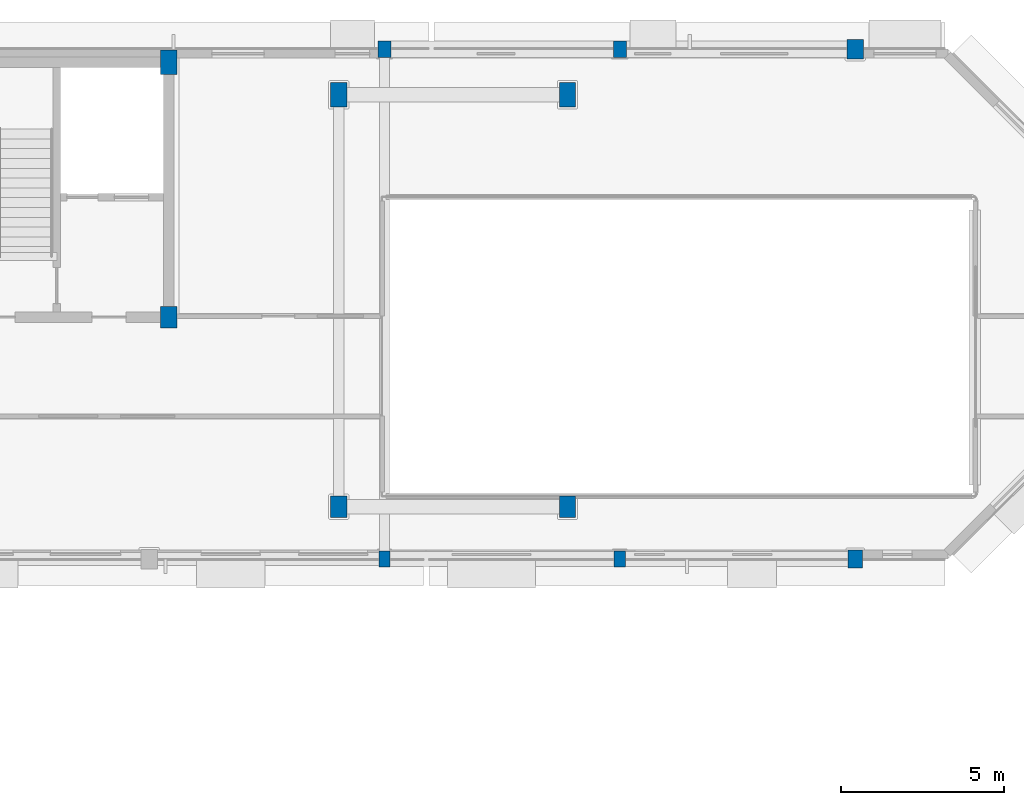
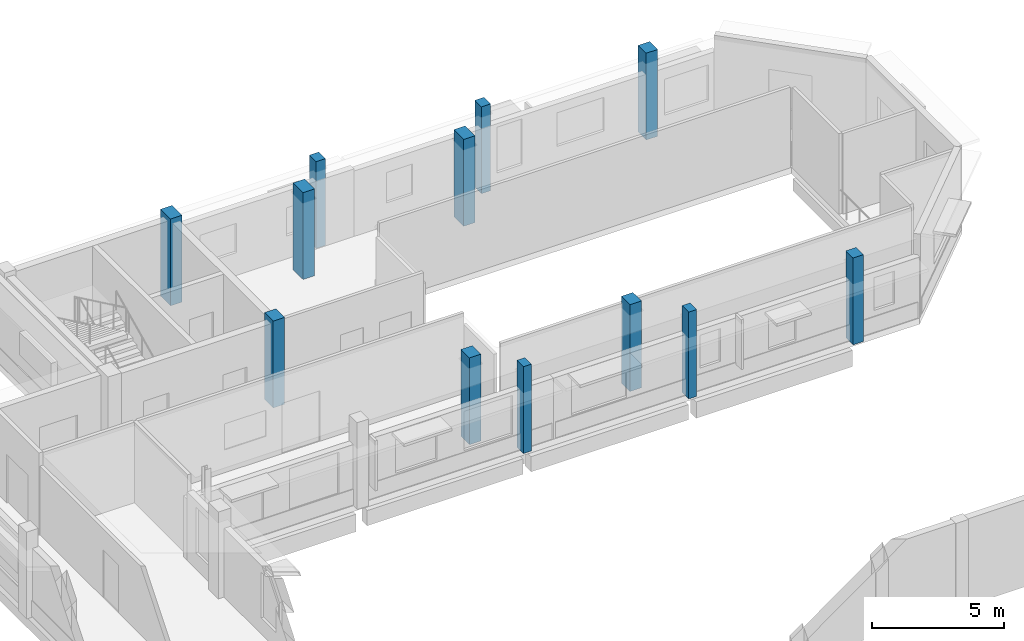
# One storey, part 14 of 89: 12 columns.
"""IFC4 building model written with IfcOpenShell, lengths in metres."""

from ifc_helpers import new_model, si_unit, direction, frame, origin, origin_2d, place, context, subcontext, project, spatial, rectangle, extrude, material, material_profile, profile_set, type_object, element, save


model = new_model("IFC4")

# Units and contexts
model_context = context("Model", 3, precision=1e-05, world=origin(), true_north=direction((0.0, 1.0)))
body_context = subcontext(model_context, "Body", "Model", "MODEL_VIEW")
ifc_project = project(units=[si_unit("LENGTHUNIT", "METRE"), si_unit("AREAUNIT", "SQUARE_METRE"), si_unit("VOLUMEUNIT", "CUBIC_METRE"), si_unit("PLANEANGLEUNIT", "RADIAN"), si_unit("MASSUNIT", "GRAM", prefix="KILO")], contexts=[model_context])

# Site, building, storey
site_placement = place(None, origin())
site = spatial("IfcSite", under=ifc_project, at=site_placement, CompositionType="ELEMENT")
building_placement = place(site_placement, origin())
building = spatial("IfcBuilding", under=site, at=building_placement, Name="Kelanivale Promenade Academy", CompositionType="ELEMENT")
storey_placement = place(building_placement, frame((0.0, 0.0, 12.199951171875)))
storey = spatial("IfcBuildingStorey", under=building, at=storey_placement, Name="L03", CompositionType="ELEMENT", Elevation=12.199951171875)

# Columns
ifc_material = material(Name="Concrete C40/50", Category="concrete")
ifc_material_profile_1 = material_profile(ifc_material, rectangle(XDim=0.5, YDim=0.64990234375, at=origin_2d()), Name="RC-COL 500x650")
ifc_profile_set_1 = profile_set([ifc_material_profile_1], Name="Concrete C40/50")
column_type_1 = type_object("IfcColumnType", Name="C-11 RC-COL 500x650", PredefinedType="COLUMN", material=ifc_profile_set_1)
for number, where, z_axis, x_axis, name in (
    (1, (130.60009765625, 103.800048828125, 0.0), (0.0, 0.0, 1.0), (1.0, 0.0, 0.0), "Column C-11 at (130.6, 103.8) L03"),
    (2, (135.800048828125, 98.0, 0.0), (0.0, 0.0, 1.0), (1.0, 0.0, 0.0), "Column C-11 at (135.8, 98.0) L03"),
    (3, (142.800048828125, 98.0, 0.0), (0.0, 0.0, 1.0), (1.0, 0.0, 0.0), "Column C-11 at (142.8, 98.0) L03"),
):
    element("IfcColumn", number, at=place(storey_placement, frame(where, z_axis=z_axis, x_axis=x_axis)), inside=storey, type_object=column_type_1, Name=name, PredefinedType="COLUMN", context=body_context, shape_type="SweptSolid", body=[
        extrude(rectangle(XDim=0.5, YDim=0.64990234375, at=origin_2d()), origin(), (0.0, 0.0, 1.0), 4.0),
    ])
ifc_material_profile_2 = material_profile(ifc_material, rectangle(XDim=0.5, YDim=0.75, at=origin_2d()), Name="RC-COL 500x750")
ifc_profile_set_2 = profile_set([ifc_material_profile_2], Name="Concrete C40/50")
column_type_2 = type_object("IfcColumnType", Name="C-12 RC-COL 500x750", PredefinedType="COLUMN", material=ifc_profile_set_2)
for number, where, z_axis, x_axis, name in (
    (4, (130.60009765625, 111.60009765625, 0.0), (0.0, 0.0, 1.0), (1.0, 0.0, 0.0), "Column C-12 at (130.6, 111.6) L03"),
    (5, (135.800048828125, 110.60009765625, 0.0), (0.0, 0.0, 1.0), (1.0, 0.0, 0.0), "Column C-12 at (135.8, 110.6) L03"),
    (6, (142.800048828125, 110.60009765625, 0.0), (0.0, 0.0, 1.0), (1.0, 0.0, 0.0), "Column C-12 at (142.8, 110.6) L03"),
):
    element("IfcColumn", number, at=place(storey_placement, frame(where, z_axis=z_axis, x_axis=x_axis)), inside=storey, type_object=column_type_2, Name=name, PredefinedType="COLUMN", context=body_context, shape_type="SweptSolid", body=[
        extrude(rectangle(XDim=0.5, YDim=0.75, at=origin_2d()), origin(), (0.0, 0.0, 1.0), 4.0),
    ])
ifc_material_profile_3 = material_profile(ifc_material, rectangle(XDim=0.35009765625, YDim=0.5, at=origin_2d()), Name="RC-PIL 350x500")
ifc_profile_set_3 = profile_set([ifc_material_profile_3], Name="Concrete C40/50")
column_type_3 = type_object("IfcColumnType", Name="PL-15 RC-PIL 350x500", PredefinedType="PILASTER", material=ifc_profile_set_3)
for number, where, z_axis, x_axis, name in (
    (7, (137.199951171875, 96.39990234375, 0.0), (0.0, 0.0, 1.0), (1.0, 0.0, 0.0), "Column PL-15 at (137.2, 96.4) L03"),
    (8, (144.39990234375, 96.39990234375, 0.0), (0.0, 0.0, 1.0), (1.0, 0.0, 0.0), "Column PL-15 at (144.4, 96.4) L03"),
):
    element("IfcColumn", number, at=place(storey_placement, frame(where, z_axis=z_axis, x_axis=x_axis)), inside=storey, type_object=column_type_3, Name=name, PredefinedType="PILASTER", context=body_context, shape_type="SweptSolid", body=[
        extrude(rectangle(XDim=0.35009765625, YDim=0.5, at=origin_2d()), origin(), (0.0, 0.0, 1.0), 4.0),
    ])
ifc_material_profile_4 = material_profile(ifc_material, rectangle(XDim=0.39990234375, YDim=0.5, at=origin_2d()), Name="RC-PIL 400x500")
ifc_profile_set_4 = profile_set([ifc_material_profile_4], Name="Concrete C40/50")
column_type_4 = type_object("IfcColumnType", Name="PL-16 RC-PIL 400x500", PredefinedType="PILASTER", material=ifc_profile_set_4)
for number, where, z_axis, x_axis, name in (
    (9, (137.199951171875, 112.0, 0.0), (0.0, 0.0, 1.0), (1.0, 0.0, 0.0), "Column PL-16 at (137.2, 112.0) L03"),
    (10, (144.39990234375, 112.0, 0.0), (0.0, 0.0, 1.0), (1.0, 0.0, 0.0), "Column PL-16 at (144.4, 112.0) L03"),
):
    element("IfcColumn", number, at=place(storey_placement, frame(where, z_axis=z_axis, x_axis=x_axis)), inside=storey, type_object=column_type_4, Name=name, PredefinedType="PILASTER", context=body_context, shape_type="SweptSolid", body=[
        extrude(rectangle(XDim=0.39990234375, YDim=0.5, at=origin_2d()), origin(), (0.0, 0.0, 1.0), 4.0),
    ])
ifc_material_profile_5 = material_profile(ifc_material, rectangle(XDim=0.449951171875, YDim=0.550048828125, at=origin_2d()), Name="RC-PIL 450x550")
ifc_profile_set_5 = profile_set([ifc_material_profile_5], Name="Concrete C40/50")
column_type_5 = type_object("IfcColumnType", Name="PL-17 RC-PIL 450x550", PredefinedType="PILASTER", material=ifc_profile_set_5)
column_1_placement = place(storey_placement, frame((151.60009765625, 96.39990234375, 0.0), z_axis=(0.0, 0.0, 1.0), x_axis=(1.0, 0.0, 0.0)))
element("IfcColumn", 11, at=column_1_placement, inside=storey, type_object=column_type_5, Name="Column PL-17 at (151.6, 96.4) L03", PredefinedType="PILASTER", context=body_context, shape_type="SweptSolid", body=[
    extrude(rectangle(XDim=0.449951171875, YDim=0.550048828125, at=origin_2d()), origin(), (0.0, 0.0, 1.0), 4.0),
])
ifc_material_profile_6 = material_profile(ifc_material, rectangle(XDim=0.5, YDim=0.60009765625, at=origin_2d()), Name="RC-PIL 500x600")
ifc_profile_set_6 = profile_set([ifc_material_profile_6], Name="Concrete C40/50")
column_type_6 = type_object("IfcColumnType", Name="PL-18 RC-PIL 500x600", PredefinedType="PILASTER", material=ifc_profile_set_6)
column_2_placement = place(storey_placement, frame((151.60009765625, 112.0, 0.0), z_axis=(0.0, 0.0, 1.0), x_axis=(1.0, 0.0, 0.0)))
element("IfcColumn", 12, at=column_2_placement, inside=storey, type_object=column_type_6, Name="Column PL-18 at (151.6, 112.0) L03", PredefinedType="PILASTER", context=body_context, shape_type="SweptSolid", body=[
    extrude(rectangle(XDim=0.5, YDim=0.60009765625, at=origin_2d()), origin(), (0.0, 0.0, 1.0), 4.0),
])

save(model, "model.ifc")
